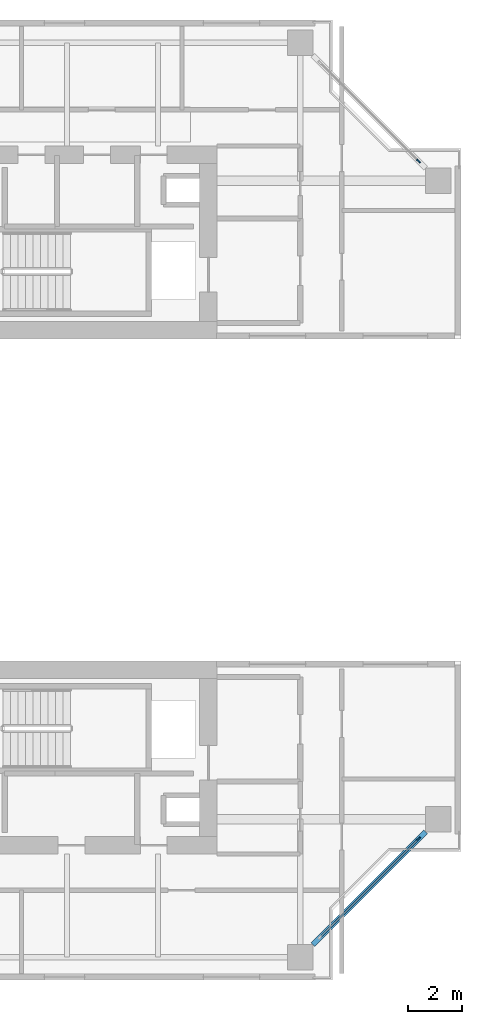
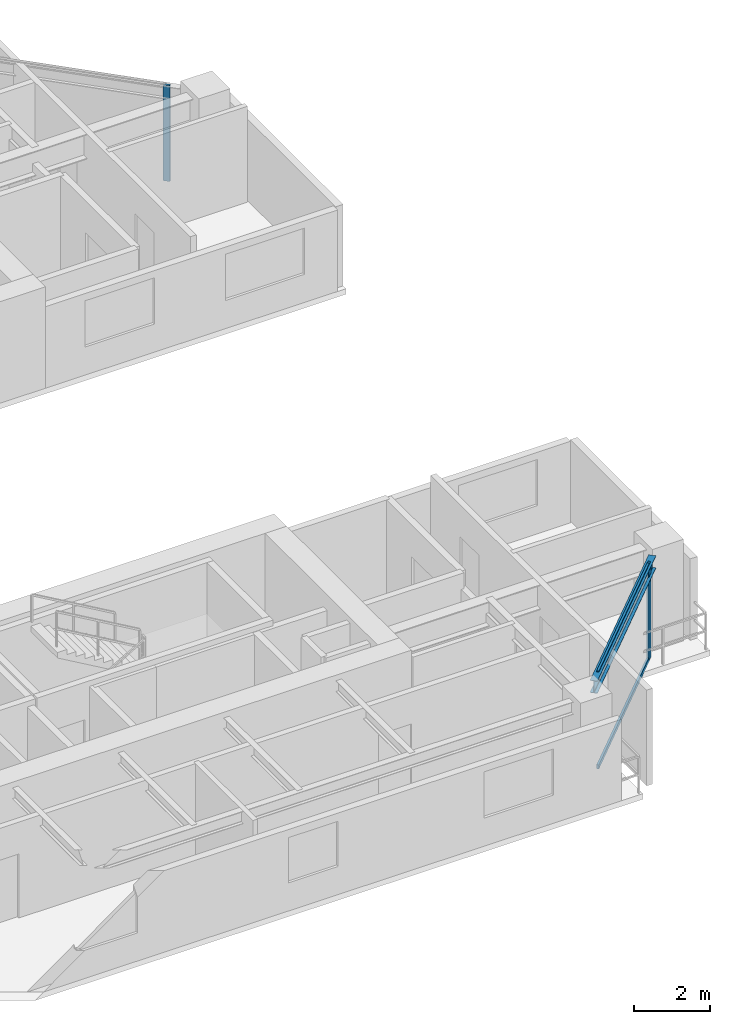
# One storey, part 4 of 12: 4 members, 1 beam, 2 elements without a shape of their own.
"""IFC4 building model written with IfcOpenShell, lengths in metres."""

import ifcopenshell
import ifcopenshell.guid

model = None  # the IFC model being written
_history = None  # IfcOwnerHistory: only IFC2X3 demands one
_inside = {}  # id of a spatial element -> (the spatial element, [elements in it])
_under = {}  # id of a project, library or spatial element -> (it, [spatial elements below it])
_declared = {}  # id of a project -> (the project, [libraries it declares])
_typed = {}  # id of a type object -> (the type object, [elements of that type])
_made_of = {}  # id of a material, layer set ... -> (it, [elements and type objects made of it])


def new_model(schema):
    """Start an empty IFC model of exactly this schema.

    Asked for "IFC4X3", IfcOpenShell would pick the latest addendum, in which some entities
    have other attributes; the version numbers below select the first issue.
    IFC2X3 requires an IfcOwnerHistory on every rooted entity: one is made here for all.
    """
    global model, _history
    if schema == "IFC4X3":
        model = ifcopenshell.file(schema_version=(4, 3, 0, 0))
    else:
        model = ifcopenshell.file(schema=schema)
    _inside.clear()
    _under.clear()
    _declared.clear()
    _typed.clear()
    _made_of.clear()
    _history = None
    if model.schema == "IFC2X3":
        org = make("IfcOrganization", Name="unknown")
        user = make(
            "IfcPersonAndOrganization",
            ThePerson=make("IfcPerson", FamilyName="unknown"),
            TheOrganization=org,
        )
        app = make(
            "IfcApplication",
            ApplicationDeveloper=org,
            Version="unknown",
            ApplicationFullName="unknown",
            ApplicationIdentifier="unknown",
        )
        _history = make(
            "IfcOwnerHistory",
            OwningUser=user,
            OwningApplication=app,
            ChangeAction="ADDED",
            CreationDate=0,
        )
    return model


def make(cls, **values):
    """One entity of the class cls with the attributes given. An attribute that is None is left unset."""
    return model.create_entity(
        cls, **{name: value for name, value in values.items() if value is not None}
    )


def rooted(cls, **values):
    """An entity with a GlobalId (a new one), such as an element, a storey or a relation."""
    return make(cls, GlobalId=ifcopenshell.guid.new(), OwnerHistory=_history, **values)


def si_unit(unit_type, name, prefix=None):
    """IfcSIUnit, for example si_unit("LENGTHUNIT", "METRE", prefix="MILLI")."""
    return make("IfcSIUnit", UnitType=unit_type, Prefix=prefix, Name=name)


def assignment(units):
    """IfcUnitAssignment: the units of a project."""
    return None if units is None else make("IfcUnitAssignment", Units=units)


def point(xyz):
    """IfcCartesianPoint."""
    return None if xyz is None else make("IfcCartesianPoint", Coordinates=xyz)


def direction(xyz):
    """IfcDirection."""
    return None if xyz is None else make("IfcDirection", DirectionRatios=xyz)


def frame(location, z_axis=None, x_axis=None):
    """IfcAxis2Placement3D, a coordinate frame: its origin and axes. An axis left out is left unset."""
    return make(
        "IfcAxis2Placement3D",
        Location=point(location),
        Axis=direction(z_axis),
        RefDirection=direction(x_axis),
    )


def frame_2d(location, x_axis=None):
    """IfcAxis2Placement2D, a coordinate frame in the plane: its origin and x axis."""
    return make(
        "IfcAxis2Placement2D", Location=point(location), RefDirection=direction(x_axis)
    )


def origin():
    """The frame at (0, 0, 0) with its axes left unset."""
    return frame((0.0, 0.0, 0.0))


def origin_2d():
    """The frame at (0, 0) in the plane with its x axis left unset."""
    return frame_2d((0.0, 0.0))


def place(relative_to, where):
    """IfcLocalPlacement: puts the frame where relative to a parent placement (None: the world)."""
    return make(
        "IfcLocalPlacement", PlacementRelTo=relative_to, RelativePlacement=where
    )


def context(
    kind, dimensions, precision=None, world=None, true_north=None, identifier=None
):
    """IfcGeometricRepresentationContext, for example the 3D "Model" context."""
    return make(
        "IfcGeometricRepresentationContext",
        ContextIdentifier=identifier,
        ContextType=kind,
        CoordinateSpaceDimension=dimensions,
        Precision=precision,
        WorldCoordinateSystem=world,
        TrueNorth=true_north,
    )


def subcontext(parent, identifier, kind, view, scale=None):
    """IfcGeometricRepresentationSubContext, for example "Body" below "Model"."""
    return make(
        "IfcGeometricRepresentationSubContext",
        ContextIdentifier=identifier,
        ContextType=kind,
        ParentContext=parent,
        TargetScale=scale,
        TargetView=view,
    )


def project(units=None, contexts=None):
    """IfcProject with its units and contexts."""
    return rooted(
        "IfcProject",
        Name="project",
        RepresentationContexts=contexts,
        UnitsInContext=assignment(units),
    )


def spatial(cls, under=None, at=None, **own):
    """A site, building, storey or space (cls), placed at a placement, below another one or the project."""
    s = rooted(cls, ObjectPlacement=at, **own)
    if under is not None:
        _under.setdefault(under.id(), (under, []))[1].append(s)
    return s


def profile(cls, at=None, kind="AREA", **sizes):
    """A parametric profile (cls). Its sizes go by their IFC names, for example OverallWidth=200.0."""
    return make(cls, ProfileType=kind, Position=at, **sizes)


def rectangle(**sizes):
    """IfcRectangleProfileDef."""
    return profile("IfcRectangleProfileDef", **sizes)


def i_section(**sizes):
    """IfcIShapeProfileDef."""
    return profile("IfcIShapeProfileDef", **sizes)


def extrude(swept, where, along, depth):
    """IfcExtrudedAreaSolid: the profile swept, set in the frame where, extruded along a direction by depth."""
    return make(
        "IfcExtrudedAreaSolid",
        SweptArea=swept,
        Position=where,
        ExtrudedDirection=direction(along),
        Depth=depth,
    )


def shape(context_of_items, identifier, shape_type, items):
    """IfcShapeRepresentation: the items that make up one representation, for example the "Body"."""
    return make(
        "IfcShapeRepresentation",
        ContextOfItems=context_of_items,
        RepresentationIdentifier=identifier,
        RepresentationType=shape_type,
        Items=items,
    )


def source(mapping_origin, context_of_items, identifier, shape_type, items):
    """IfcRepresentationMap: a shape defined once, which mapped items show again and again."""
    return make(
        "IfcRepresentationMap",
        MappingOrigin=mapping_origin,
        MappedRepresentation=shape(context_of_items, identifier, shape_type, items),
    )


def transform(
    local_origin,
    x_axis=None,
    y_axis=None,
    z_axis=None,
    scale=None,
    scale2=None,
    scale3=None,
    uniform=True,
):
    """IfcCartesianTransformationOperator3D, or its non-uniform kind. x_axis, y_axis, z_axis: its Axis1, 2, 3."""
    if uniform:
        return make(
            "IfcCartesianTransformationOperator3D",
            Axis1=direction(x_axis),
            Axis2=direction(y_axis),
            LocalOrigin=point(local_origin),
            Scale=scale,
            Axis3=direction(z_axis),
        )
    return make(
        "IfcCartesianTransformationOperator3DnonUniform",
        Axis1=direction(x_axis),
        Axis2=direction(y_axis),
        LocalOrigin=point(local_origin),
        Scale=scale,
        Axis3=direction(z_axis),
        Scale2=scale2,
        Scale3=scale3,
    )


def mapped(mapping_source, mapping_target):
    """IfcMappedItem: shows the shape of a source again, moved by a transform."""
    return make(
        "IfcMappedItem", MappingSource=mapping_source, MappingTarget=mapping_target
    )


def material(Name=None, Category=None):
    """IfcMaterial."""
    return make("IfcMaterial", Name=Name, Category=Category)


def layer(
    of_material, thickness, ventilated=None, Name=None, Category=None, Priority=None
):
    """IfcMaterialLayer: one layer of a wall or slab, of a material (None: an air gap)."""
    return make(
        "IfcMaterialLayer",
        Material=of_material,
        LayerThickness=thickness,
        IsVentilated=ventilated,
        Name=Name,
        Category=Category,
        Priority=Priority,
    )


def layer_set(layers, Name=None):
    """IfcMaterialLayerSet."""
    return make("IfcMaterialLayerSet", MaterialLayers=layers, LayerSetName=Name)


def material_profile(
    of_material, cross_section, Name=None, Category=None, Priority=None
):
    """IfcMaterialProfile: a cross section and its material."""
    return make(
        "IfcMaterialProfile",
        Name=Name,
        Material=of_material,
        Profile=cross_section,
        Priority=Priority,
        Category=Category,
    )


def profile_set(profiles, Name=None, composite=None):
    """IfcMaterialProfileSet."""
    return make(
        "IfcMaterialProfileSet",
        Name=Name,
        MaterialProfiles=profiles,
        CompositeProfile=composite,
    )


def made_of(thing, what):
    """Note that an element or type object is made of a material, layer set ...; save() writes the relation."""
    if what is not None:
        _made_of.setdefault(what.id(), (what, []))[1].append(thing)
    return thing


def type_object(cls, material=None, **own):
    """A type object (cls), such as IfcWallType, which elements share."""
    return made_of(rooted(cls, **own), material)


def element(
    cls,
    number,
    at=None,
    inside=None,
    cuts=None,
    type_object=None,
    material=None,
    context=None,
    identifier="Body",
    shape_type=None,
    held_by="IfcProductDefinitionShape",
    body=None,
    shapes=None,
    **own,
):
    """One element of the class cls, such as IfcWall. Its Tag is "e" and its number.

    at: its placement. inside: the storey or other place that contains it. cuts: it is an
    opening in that element (IfcRelVoidsElement). A single representation is given by context,
    identifier, shape_type and body (its items); several are given by shapes. held_by: the class
    of the entity that holds the representations. save() writes the other relations.
    """
    e = rooted(cls, Tag="e%d" % number, ObjectPlacement=at, **own)
    if body is not None:
        shapes = [shape(context, identifier, shape_type, body)]
    if shapes is not None:
        e.Representation = make(held_by, Representations=shapes)
    if inside is not None:
        _inside.setdefault(inside.id(), (inside, []))[1].append(e)
    if cuts is not None:
        rooted(
            "IfcRelVoidsElement", RelatingBuildingElement=cuts, RelatedOpeningElement=e
        )
    if type_object is not None:
        _typed.setdefault(type_object.id(), (type_object, []))[1].append(e)
    return made_of(e, material)


def aggregate(whole, parts):
    """IfcRelAggregates: a whole, such as a stair, and the parts it consists of."""
    return rooted("IfcRelAggregates", RelatingObject=whole, RelatedObjects=parts)


def save(model, path):
    """Write the relations noted so far, then the file.

    IfcRelAggregates (storeys below a building ...), IfcRelContainedInSpatialStructure (elements
    in a storey), IfcRelDefinesByType, IfcRelAssociatesMaterial and IfcRelDeclares: one each for
    every whole, place, type object, material and project.
    """
    for whole, parts in _under.values():
        aggregate(whole, parts)
    for where, things in _inside.values():
        rooted(
            "IfcRelContainedInSpatialStructure",
            RelatedElements=things,
            RelatingStructure=where,
        )
    for kind, things in _typed.values():
        rooted("IfcRelDefinesByType", RelatedObjects=things, RelatingType=kind)
    for what, things in _made_of.values():
        rooted("IfcRelAssociatesMaterial", RelatedObjects=things, RelatingMaterial=what)
    for by, libraries in _declared.values():
        rooted("IfcRelDeclares", RelatingContext=by, RelatedDefinitions=libraries)
    model.write(path)


model = new_model("IFC4")

# Units and contexts
model_context = context("Model", 3, precision=1e-05, world=origin(), true_north=direction((0.0, 1.0)))
body_context = subcontext(model_context, "Body", "Model", "MODEL_VIEW")
ifc_project = project(units=[si_unit("LENGTHUNIT", "METRE"), si_unit("AREAUNIT", "SQUARE_METRE"), si_unit("VOLUMEUNIT", "CUBIC_METRE"), si_unit("PLANEANGLEUNIT", "RADIAN"), si_unit("MASSUNIT", "GRAM", prefix="KILO"), si_unit("THERMODYNAMICTEMPERATUREUNIT", "KELVIN"), si_unit("POWERUNIT", "WATT")], contexts=[model_context])

# Site, building, storey
site_placement = place(None, origin())
site = spatial("IfcSite", under=ifc_project, at=site_placement, CompositionType="ELEMENT")
building_placement = place(site_placement, origin())
building = spatial("IfcBuilding", under=site, at=building_placement, Name="Qiaomeng Ring Towers", CompositionType="ELEMENT")
storey_placement = place(building_placement, frame((0.0, 0.0, 166.5)))
storey = spatial("IfcBuildingStorey", under=building, at=storey_placement, Name="L48", CompositionType="ELEMENT", Elevation=166.5)

# Beam
ifc_material_1 = material(Name="Steel Q355B", Category="steel")
ifc_material_profile_1 = material_profile(ifc_material_1, i_section(OverallWidth=0.199951171875, OverallDepth=0.39990234375, WebThickness=0.008056640625, FlangeThickness=0.012939453125, FilletRadius=0.01611328125, at=origin_2d()), Name="HN 400x200x8x13")
ifc_profile_set_1 = profile_set([ifc_material_profile_1], Name="Steel Q355B")
beam_type = type_object("IfcBeamType", Name="STR-BM-HN400", PredefinedType="SPANDREL", material=ifc_profile_set_1)
shared_shape_1 = source(origin(), body_context, "Body", "SweptSolid", [
    extrude(i_section(OverallWidth=0.199951171875, OverallDepth=0.39990234375, WebThickness=0.008056640625, FlangeThickness=0.012939453125, FilletRadius=0.01611328125, at=origin_2d()), origin(), (0.0, 0.0, 1.0), 5.941650390625),
])
beam_placement = place(storey_placement, frame((31.374267578125, 6.42431640625, 2.8701171875), z_axis=(0.707106781187, 0.707106781187, 0.0), x_axis=(-0.707106781187, 0.707106781187, 0.0)))
element("IfcBeam", 1, at=beam_placement, inside=storey, type_object=beam_type, Name="L48 beam STR-SP-L48-T1-S2-E1", PredefinedType="SPANDREL", context=body_context, shape_type="MappedRepresentation", body=[
    mapped(shared_shape_1, transform((0.0, 0.0, 0.0), x_axis=(1.0, 0.0, 0.0), y_axis=(0.0, 1.0, 0.0), z_axis=(0.0, 0.0, 1.0), scale=1.0)),
])

# Curtain wall, member
ifc_material_2 = material(Name="Fluorocarbon dark-grey aluminium", Category="aluminium")
ifc_layer = layer(ifc_material_2, 0.14990234375, Name="Fluorocarbon dark-grey aluminium")
ifc_layer_set = layer_set([ifc_layer], Name="Fluorocarbon dark-grey aluminium")
curtain_wall_type = type_object("IfcCurtainWallType", Name="ARC-CW-3", PredefinedType="NOTDEFINED", material=ifc_layer_set)
curtain_wall_1_placement = place(storey_placement, origin())
curtain_wall_1 = element("IfcCurtainWall", 2, at=curtain_wall_1_placement, inside=storey, type_object=curtain_wall_type, Name="L48 Curtain Wall CW3", PredefinedType="NOTDEFINED")
ifc_material_profile_2 = material_profile(ifc_material_2, rectangle(XDim=0.070068359375, YDim=0.179931640625, at=origin_2d()), Name="ALU MULL 70x180")
ifc_profile_set_2 = profile_set([ifc_material_profile_2], Name="Fluorocarbon dark-grey aluminium")
member_type_1 = type_object("IfcMemberType", Name="ARC-CWM-160", PredefinedType="MULLION", material=ifc_profile_set_2)
shared_shape_2 = source(origin(), body_context, "Body", "SweptSolid", [
    extrude(rectangle(XDim=0.070068359375, YDim=0.179931640625, at=origin_2d()), origin(), (0.0, 0.0, 1.0), 3.070068359375),
])
member_1_placement = place(storey_placement, frame((35.310302734375, 10.3603515625, 0.0), z_axis=(0.0, 0.0, 1.0), x_axis=(-0.707106781187, 0.707106781187, 0.0)))
member_1 = element("IfcMember", 3, at=member_1_placement, type_object=member_type_1, Name="CW3 mullion 2", PredefinedType="MULLION", context=body_context, shape_type="MappedRepresentation", body=[
    mapped(shared_shape_2, transform((0.0, 0.0, 0.0), x_axis=(1.0, 0.0, 0.0), y_axis=(0.0, 1.0, 0.0), z_axis=(0.0, 0.0, 1.0), scale=1.0)),
])

curtain_wall_2_placement = place(storey_placement, origin())
curtain_wall_2 = element("IfcCurtainWall", 4, at=curtain_wall_2_placement, inside=storey, type_object=curtain_wall_type, Name="L48 Curtain Wall CW3", PredefinedType="NOTDEFINED")
member_2_placement = place(storey_placement, frame((35.310302734375, 35.6396484375, 0.0), z_axis=(0.0, 0.0, 1.0), x_axis=(-0.707106781187, -0.707106781187, 0.0)))
member_2 = element("IfcMember", 5, at=member_2_placement, type_object=member_type_1, Name="CW3 mullion 1", PredefinedType="MULLION", context=body_context, shape_type="MappedRepresentation", body=[
    mapped(shared_shape_2, transform((0.0, 0.0, 0.0), x_axis=(1.0, 0.0, 0.0), y_axis=(0.0, 1.0, 0.0), z_axis=(0.0, 0.0, 1.0), scale=1.0)),
])
aggregate(curtain_wall_2, [member_2])

# Member
ifc_material_profile_3 = material_profile(ifc_material_2, rectangle(XDim=0.06494140625, YDim=0.1298828125, at=origin_2d()), Name="ALU TRAN 65x130")
ifc_profile_set_3 = profile_set([ifc_material_profile_3], Name="Fluorocarbon dark-grey aluminium")
member_type_2 = type_object("IfcMemberType", Name="ARC-CWT-120", PredefinedType="USERDEFINED", material=ifc_profile_set_3)
shared_shape_3 = source(origin(), body_context, "Body", "SweptSolid", [
    extrude(rectangle(XDim=0.06494140625, YDim=0.1298828125, at=origin_2d()), origin(), (0.0, 0.0, 1.0), 5.12060546875),
])
member_3_placement = place(storey_placement, frame((31.66455078125, 6.714599609375, 0.032470703125), z_axis=(0.707106781187, 0.707106781187, 0.0), x_axis=(-0.707106781187, 0.707106781187, 0.0)))
member_3 = element("IfcMember", 6, at=member_3_placement, type_object=member_type_2, Name="CW3 transom 1.1", ObjectType="TRANSOM", PredefinedType="USERDEFINED", context=body_context, shape_type="MappedRepresentation", body=[
    mapped(shared_shape_3, transform((0.0, 0.0, 0.0), x_axis=(1.0, 0.0, 0.0), y_axis=(0.0, 1.0, 0.0), z_axis=(0.0, 0.0, 1.0), scale=1.0)),
])

member_4_placement = place(storey_placement, frame((31.66455078125, 6.714599609375, 3.03759765625), z_axis=(0.707106781187, 0.707106781187, 0.0), x_axis=(-0.707106781187, 0.707106781187, 0.0)))
member_4 = element("IfcMember", 7, at=member_4_placement, type_object=member_type_2, Name="CW3 transom 1.2", ObjectType="TRANSOM", PredefinedType="USERDEFINED", context=body_context, shape_type="MappedRepresentation", body=[
    mapped(shared_shape_3, transform((0.0, 0.0, 0.0), x_axis=(1.0, 0.0, 0.0), y_axis=(0.0, 1.0, 0.0), z_axis=(0.0, 0.0, 1.0), scale=1.0)),
])

aggregate(curtain_wall_1, [member_1, member_3, member_4])

save(model, "model.ifc")
